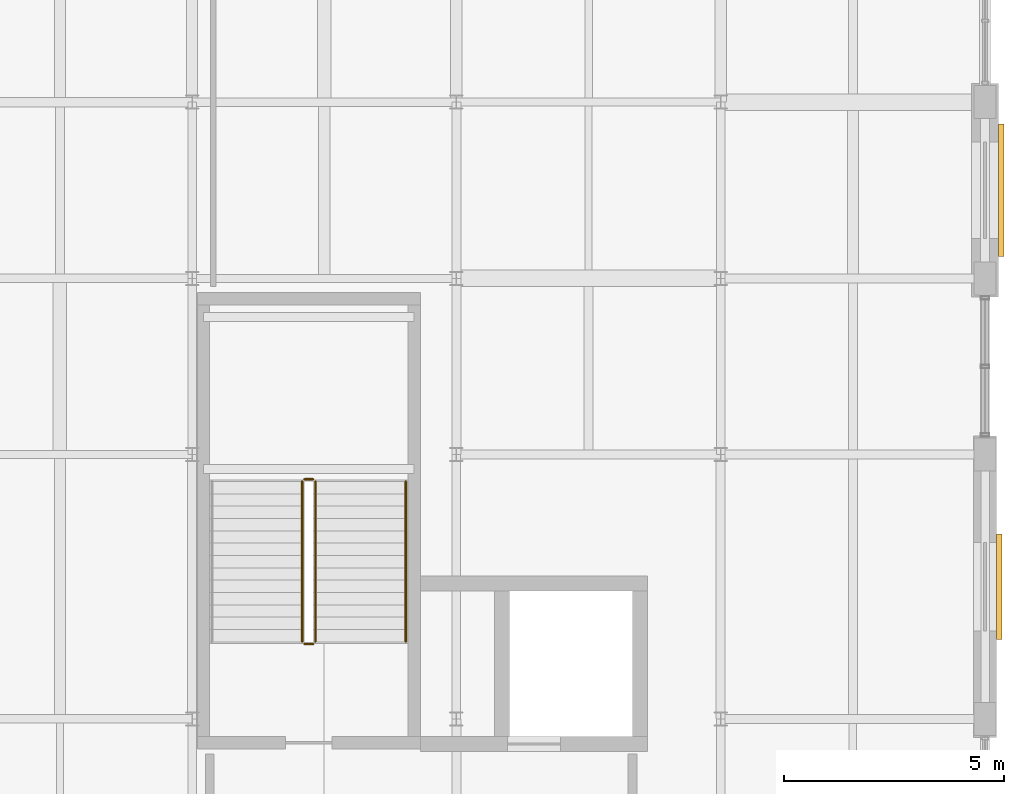
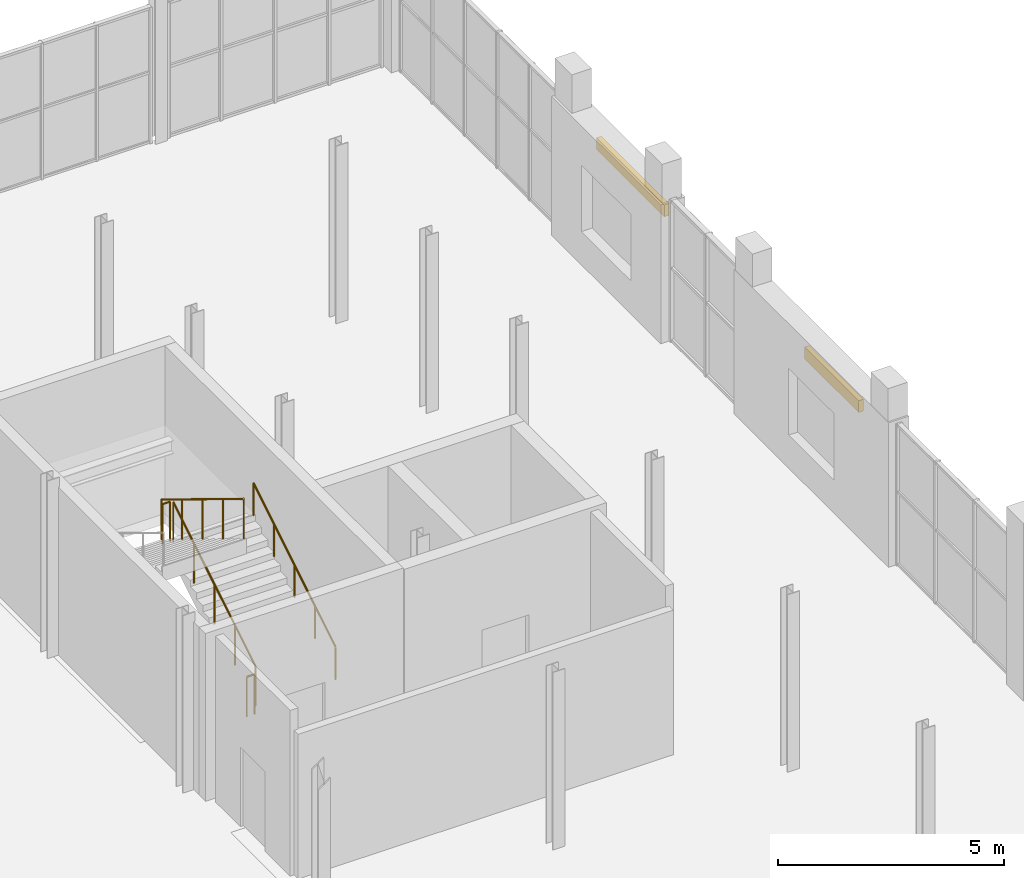
# One storey, part 114 of 114: 5 railings, 2 shading devices.
"""IFC4 building model written with IfcOpenShell, lengths in metres."""

from ifc_helpers import new_model, si_unit, direction, frame, origin, origin_2d, place, context, subcontext, project, spatial, rectangle, circle, extrude, material, type_object, element, save


model = new_model("IFC4")

# Units and contexts
model_context = context("Model", 3, precision=1e-05, world=origin(), true_north=direction((0.0, 1.0)))
body_context = subcontext(model_context, "Body", "Model", "MODEL_VIEW")
ifc_project = project(units=[si_unit("LENGTHUNIT", "METRE"), si_unit("AREAUNIT", "SQUARE_METRE"), si_unit("VOLUMEUNIT", "CUBIC_METRE"), si_unit("PLANEANGLEUNIT", "RADIAN"), si_unit("MASSUNIT", "GRAM", prefix="KILO")], contexts=[model_context])

# Site, building, storey
site_placement = place(None, origin())
site = spatial("IfcSite", under=ifc_project, at=site_placement, CompositionType="ELEMENT")
building_placement = place(site_placement, origin())
building = spatial("IfcBuilding", under=site, at=building_placement, Name="Verrall Gate Interchange", CompositionType="ELEMENT")
storey_placement = place(building_placement, frame((0.0, 0.0, 6.60009765625)))
storey = spatial("IfcBuildingStorey", under=building, at=storey_placement, Name="L02", CompositionType="ELEMENT", Elevation=6.60009765625)

# Railings
ifc_material_1 = material(Name="Brushed Stainless-Steel Guardrail and Handrail System", Category="steel")
railing_type_1 = type_object("IfcRailingType", Name="GR-02 Interior Atrium and Stair Guardrail 1100", PredefinedType="GUARDRAIL", material=ifc_material_1)
railing_1_placement = place(storey_placement, frame((152.800048828125, 35.75, 0.17138671875)))
element("IfcRailing", 1, at=railing_1_placement, inside=storey, type_object=railing_type_1, Name="L02 ST-09 stair guard 1", PredefinedType="GUARDRAIL", context=body_context, shape_type="SweptSolid", body=[
    extrude(circle(Radius=0.02392578125, at=origin_2d()), frame((0.0, 0.0, 1.076171875), z_axis=(0.0, 0.852850264322, 0.5221555579), x_axis=(-1.0, 0.0, 0.0)), (0.0, 0.0, 1.0), 4.267822265625),
    extrude(circle(Radius=0.02099609375, at=origin_2d()), origin(), (0.0, 0.0, 1.0), 1.052001953125),
    extrude(circle(Radius=0.02099609375, at=origin_2d()), frame((0.0, 0.909912109375, 0.55712890625)), (0.0, 0.0, 1.0), 1.052001953125),
    extrude(circle(Radius=0.02099609375, at=origin_2d()), frame((0.0, 1.81982421875, 1.1142578125)), (0.0, 0.0, 1.0), 1.052001953125),
    extrude(circle(Radius=0.02099609375, at=origin_2d()), frame((0.0, 2.72998046875, 1.67138671875)), (0.0, 0.0, 1.0), 1.052001953125),
    extrude(circle(Radius=0.02099609375, at=origin_2d()), frame((0.0, 3.639892578125, 2.228515625)), (0.0, 0.0, 1.0), 1.052001953125),
])
railing_2_placement = place(storey_placement, frame((152.75, 39.43994140625, 2.39990234375)))
element("IfcRailing", 2, at=railing_2_placement, inside=storey, type_object=railing_type_1, Name="L02 ST-09 stair guard 2", PredefinedType="GUARDRAIL", context=body_context, shape_type="SweptSolid", body=[
    extrude(circle(Radius=0.02392578125, at=origin_2d()), frame((0.0, 0.0, 1.076171875), z_axis=(-1.0, 0.0, 0.0), x_axis=(0.0, -1.0, 0.0)), (0.0, 0.0, 1.0), 0.199951171875),
    extrude(circle(Radius=0.02099609375, at=origin_2d()), origin(), (0.0, 0.0, 1.0), 1.052001953125),
    extrude(circle(Radius=0.02099609375, at=origin_2d()), frame((-0.199951171875, 0.0, 0.0)), (0.0, 0.0, 1.0), 1.052001953125),
])
railing_3_placement = place(storey_placement, frame((152.5, 39.389892578125, 2.5712890625)))
element("IfcRailing", 3, at=railing_3_placement, inside=storey, type_object=railing_type_1, Name="L02 ST-09 stair guard 3", PredefinedType="GUARDRAIL", context=body_context, shape_type="SweptSolid", body=[
    extrude(circle(Radius=0.02392578125, at=origin_2d()), frame((0.0, 0.0, 1.076171875), z_axis=(0.0, -0.852850264322, 0.5221555579), x_axis=(1.0, 0.0, 0.0)), (0.0, 0.0, 1.0), 4.267822265625),
    extrude(circle(Radius=0.02099609375, at=origin_2d()), origin(), (0.0, 0.0, 1.0), 1.052001953125),
    extrude(circle(Radius=0.02099609375, at=origin_2d()), frame((0.0, -0.909912109375, 0.55712890625)), (0.0, 0.0, 1.0), 1.052001953125),
    extrude(circle(Radius=0.02099609375, at=origin_2d()), frame((0.0, -1.81982421875, 1.1142578125)), (0.0, 0.0, 1.0), 1.052001953125),
    extrude(circle(Radius=0.02099609375, at=origin_2d()), frame((0.0, -2.72998046875, 1.67138671875)), (0.0, 0.0, 1.0), 1.052001953125),
    extrude(circle(Radius=0.02099609375, at=origin_2d()), frame((0.0, -3.639892578125, 2.228515625)), (0.0, 0.0, 1.0), 1.052001953125),
])
railing_4_placement = place(storey_placement, frame((152.75, 35.699951171875, 0.0)))
element("IfcRailing", 4, at=railing_4_placement, inside=storey, type_object=railing_type_1, Name="L02 ST-09 stair guard 4", PredefinedType="GUARDRAIL", context=body_context, shape_type="SweptSolid", body=[
    extrude(circle(Radius=0.02392578125, at=origin_2d()), frame((0.0, 0.0, 1.076171875), z_axis=(-1.0, 0.0, 0.0), x_axis=(0.0, -1.0, 0.0)), (0.0, 0.0, 1.0), 0.199951171875),
    extrude(circle(Radius=0.02099609375, at=origin_2d()), origin(), (0.0, 0.0, 1.0), 1.052001953125),
    extrude(circle(Radius=0.02099609375, at=origin_2d()), frame((-0.199951171875, 0.0, 0.0)), (0.0, 0.0, 1.0), 1.052001953125),
])
ifc_material_2 = material(Name="Brushed Stainless-Steel Guardrail and Handrail System", Category="steel")
railing_type_2 = type_object("IfcRailingType", Name="HR-01 Stair and Ramp Pitch-Line Handrail 920", PredefinedType="HANDRAIL", material=ifc_material_2)
railing_5_placement = place(storey_placement, frame((154.85009765625, 35.75, 0.17138671875)))
element("IfcRailing", 5, at=railing_5_placement, inside=storey, type_object=railing_type_2, Name="L02 ST-09 stair handrail 1", PredefinedType="HANDRAIL", context=body_context, shape_type="SweptSolid", body=[
    extrude(circle(Radius=0.02392578125, at=origin_2d()), frame((0.0, 0.0, 0.8759765625), z_axis=(0.0, 0.852850264322, 0.5221555579), x_axis=(-1.0, 0.0, 0.0)), (0.0, 0.0, 1.0), 4.267822265625),
    extrude(circle(Radius=0.02099609375, at=origin_2d()), origin(), (0.0, 0.0, 1.0), 0.851806640625),
    extrude(circle(Radius=0.02099609375, at=origin_2d()), frame((0.0, 0.909912109375, 0.55712890625)), (0.0, 0.0, 1.0), 0.851806640625),
    extrude(circle(Radius=0.02099609375, at=origin_2d()), frame((0.0, 1.81982421875, 1.1142578125)), (0.0, 0.0, 1.0), 0.851806640625),
    extrude(circle(Radius=0.02099609375, at=origin_2d()), frame((0.0, 2.72998046875, 1.67138671875)), (0.0, 0.0, 1.0), 0.851806640625),
    extrude(circle(Radius=0.02099609375, at=origin_2d()), frame((0.0, 3.639892578125, 2.228515625)), (0.0, 0.0, 1.0), 0.851806640625),
])

# Shading devices
ifc_material_3 = material(Name="Architectural Bronze Anodized Extruded Louvre Assembly", Category="aluminium")
shading_device_type_1 = type_object("IfcShadingDeviceType", Name="LV-01 Architectural Intake Louvre 2400x1200", PredefinedType="JALOUSIE", material=ifc_material_3)
shading_device_1_placement = place(storey_placement, frame((168.320068359375, 37.0, 2.65966796875), z_axis=(0.0, 0.0, 1.0), x_axis=(0.0, 1.0, 0.0)))
element("IfcShadingDevice", 6, at=shading_device_1_placement, inside=storey, type_object=shading_device_type_1, Name="L02 Architectural Bronze Brise-Soleil Louvre 009", PredefinedType="JALOUSIE", context=body_context, shape_type="SweptSolid", body=[
    extrude(rectangle(XDim=2.39990234375, YDim=0.1201171875, at=origin_2d()), origin(), (0.0, 0.0, 1.0), 0.320068359375),
])
ifc_material_4 = material(Name="Architectural Bronze Anodized Extruded Louvre Assembly", Category="aluminium")
shading_device_type_2 = type_object("IfcShadingDeviceType", Name="LV-02 Architectural Intake Louvre 3000x1400", PredefinedType="JALOUSIE", material=ifc_material_4)
shading_device_2_placement = place(storey_placement, frame((168.3701171875, 46.0, 2.65966796875), z_axis=(0.0, 0.0, 1.0), x_axis=(0.0, 1.0, 0.0)))
element("IfcShadingDevice", 7, at=shading_device_2_placement, inside=storey, type_object=shading_device_type_2, Name="L02 Architectural Bronze Brise-Soleil Louvre 010", PredefinedType="JALOUSIE", context=body_context, shape_type="SweptSolid", body=[
    extrude(rectangle(XDim=3.0, YDim=0.1201171875, at=origin_2d()), origin(), (0.0, 0.0, 1.0), 0.320068359375),
])

save(model, "model.ifc")
